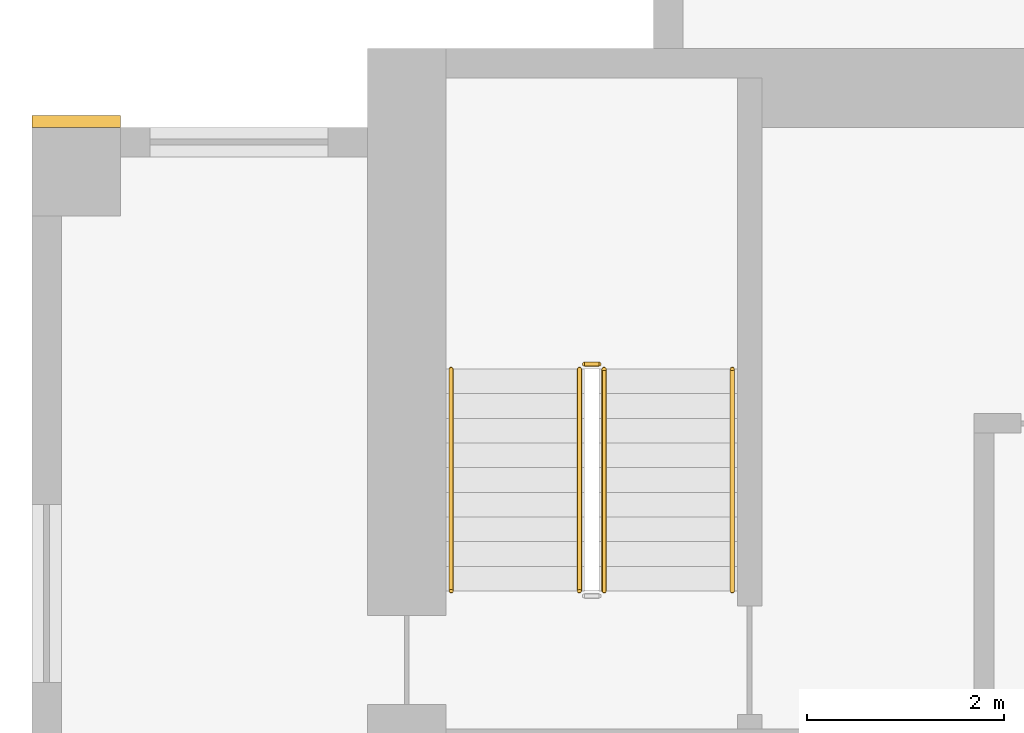
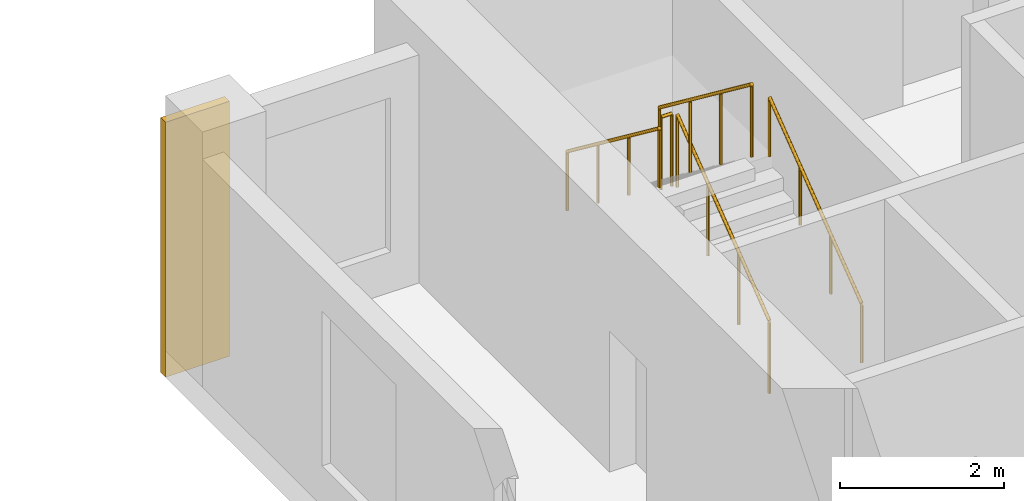
# One storey, part 10 of 12: 5 railings, 1 covering.
"""IFC4 building model written with IfcOpenShell, lengths in metres."""

from ifc_helpers import new_model, si_unit, direction, frame, origin, origin_2d, place, context, subcontext, project, spatial, rectangle, circle, extrude, source, transform, mapped, material, type_object, element, save


model = new_model("IFC4")

# Units and contexts
model_context = context("Model", 3, precision=1e-05, world=origin(), true_north=direction((0.0, 1.0)))
body_context = subcontext(model_context, "Body", "Model", "MODEL_VIEW")
ifc_project = project(units=[si_unit("LENGTHUNIT", "METRE"), si_unit("AREAUNIT", "SQUARE_METRE"), si_unit("VOLUMEUNIT", "CUBIC_METRE"), si_unit("PLANEANGLEUNIT", "RADIAN"), si_unit("MASSUNIT", "GRAM", prefix="KILO")], contexts=[model_context])

# Site, building, storey
site_placement = place(None, origin())
site = spatial("IfcSite", under=ifc_project, at=site_placement, CompositionType="ELEMENT")
building_placement = place(site_placement, origin())
building = spatial("IfcBuilding", under=site, at=building_placement, Name="Aurelian Terraces", CompositionType="ELEMENT")
storey_placement = place(building_placement, frame((0.0, 0.0, 196.8)))
storey = spatial("IfcBuildingStorey", under=building, at=storey_placement, Name="L43", CompositionType="ELEMENT", Elevation=196.8)

# Covering
ifc_material_1 = material(Name="Terracotta rainscreen cladding relief", Category="masonry")
covering_type = type_object("IfcCoveringType", Name="BAGUETTE-TC", PredefinedType="CLADDING", material=ifc_material_1)
shared_shape_1 = source(origin(), body_context, "Body", "SweptSolid", [
    extrude(rectangle(XDim=0.9, YDim=0.12, at=origin_2d()), origin(), (0.0, 0.0, 1.0), 3.8),
])
covering_placement = place(storey_placement, frame((0.45, 21.06, -0.4), z_axis=(0.0, 0.0, 1.0), x_axis=(1.0, 0.0, 0.0)))
element("IfcCovering", 1, at=covering_placement, inside=storey, type_object=covering_type, Name="BAGUETTE pier L43 5", PredefinedType="CLADDING", context=body_context, shape_type="MappedRepresentation", body=[
    mapped(shared_shape_1, transform((0.0, 0.0, 0.0), scale=1.0)),
])

# Railings
ifc_material_2 = material(Name="Stainless steel", Category="steel")
railing_type_1 = type_object("IfcRailingType", Name="Stair guard 1100", PredefinedType="GUARDRAIL", material=ifc_material_2)
shared_shape_2 = source(origin(), body_context, "Body", "SweptSolid", [
    extrude(circle(Radius=0.024, at=origin_2d()), frame((0.0, 0.0, 1.076), z_axis=(-1.0, 0.0, 0.0), x_axis=(0.0, -1.0, 0.0)), (0.0, 0.0, 1.0), 0.15),
    extrude(circle(Radius=0.021, at=origin_2d()), origin(), (0.0, 0.0, 1.0), 1.052),
    extrude(circle(Radius=0.021, at=origin_2d()), frame((-0.15, 0.0, 0.0)), (0.0, 0.0, 1.0), 1.052),
])
railing_1_placement = place(storey_placement, frame((5.75, 18.6, 1.9)))
element("IfcRailing", 2, at=railing_1_placement, inside=storey, type_object=railing_type_1, Name="L43 S1 stair guard 2", PredefinedType="GUARDRAIL", context=body_context, shape_type="MappedRepresentation", body=[
    mapped(shared_shape_2, transform((0.0, 0.0, 0.0), scale=1.0)),
])
shared_shape_3 = source(origin(), body_context, "Body", "SweptSolid", [
    extrude(circle(Radius=0.024, at=origin_2d()), frame((0.0, 0.0, 1.076), z_axis=(0.0, 0.796162194123, 0.605083267534), x_axis=(-1.0, 0.0, 0.0)), (0.0, 0.0, 1.0), 2.8261),
    extrude(circle(Radius=0.021, at=origin_2d()), origin(), (0.0, 0.0, 1.0), 1.052),
    extrude(circle(Radius=0.021, at=origin_2d()), frame((0.0, 0.75, 0.57)), (0.0, 0.0, 1.0), 1.052),
    extrude(circle(Radius=0.021, at=origin_2d()), frame((0.0, 1.5, 1.14)), (0.0, 0.0, 1.0), 1.052),
    extrude(circle(Radius=0.021, at=origin_2d()), frame((0.0, 2.25, 1.71)), (0.0, 0.0, 1.0), 1.052),
])
railing_2_placement = place(storey_placement, frame((5.8, 16.3, 0.19)))
element("IfcRailing", 3, at=railing_2_placement, inside=storey, type_object=railing_type_1, Name="L43 S1 stair guard 1", PredefinedType="GUARDRAIL", context=body_context, shape_type="MappedRepresentation", body=[
    mapped(shared_shape_3, transform((0.0, 0.0, 0.0), scale=1.0)),
])
shared_shape_4 = source(origin(), body_context, "Body", "SweptSolid", [
    extrude(circle(Radius=0.024, at=origin_2d()), frame((0.0, 0.0, 1.076), z_axis=(0.0, -0.796162194123, 0.605083267534), x_axis=(1.0, 0.0, 0.0)), (0.0, 0.0, 1.0), 2.8261),
    extrude(circle(Radius=0.021, at=origin_2d()), origin(), (0.0, 0.0, 1.0), 1.052),
    extrude(circle(Radius=0.021, at=origin_2d()), frame((0.0, -0.75, 0.57)), (0.0, 0.0, 1.0), 1.052),
    extrude(circle(Radius=0.021, at=origin_2d()), frame((0.0, -1.5, 1.14)), (0.0, 0.0, 1.0), 1.052),
    extrude(circle(Radius=0.021, at=origin_2d()), frame((0.0, -2.25, 1.71)), (0.0, 0.0, 1.0), 1.052),
])
railing_3_placement = place(storey_placement, frame((5.55, 18.55, 2.09)))
element("IfcRailing", 4, at=railing_3_placement, inside=storey, type_object=railing_type_1, Name="L43 S1 stair guard 3", PredefinedType="GUARDRAIL", context=body_context, shape_type="MappedRepresentation", body=[
    mapped(shared_shape_4, transform((0.0, 0.0, 0.0), scale=1.0)),
])
railing_type_2 = type_object("IfcRailingType", Name="Stair handrail", PredefinedType="HANDRAIL", material=ifc_material_2)
shared_shape_5 = source(origin(), body_context, "Body", "SweptSolid", [
    extrude(circle(Radius=0.024, at=origin_2d()), frame((0.0, 0.0, 0.876), z_axis=(0.0, 0.796162194123, 0.605083267534), x_axis=(-1.0, 0.0, 0.0)), (0.0, 0.0, 1.0), 2.8261),
    extrude(circle(Radius=0.021, at=origin_2d()), origin(), (0.0, 0.0, 1.0), 0.852),
    extrude(circle(Radius=0.021, at=origin_2d()), frame((0.0, 0.75, 0.57)), (0.0, 0.0, 1.0), 0.852),
    extrude(circle(Radius=0.021, at=origin_2d()), frame((0.0, 1.5, 1.14)), (0.0, 0.0, 1.0), 0.852),
    extrude(circle(Radius=0.021, at=origin_2d()), frame((0.0, 2.25, 1.71)), (0.0, 0.0, 1.0), 0.852),
])
railing_4_placement = place(storey_placement, frame((7.1, 16.3, 0.19)))
element("IfcRailing", 5, at=railing_4_placement, inside=storey, type_object=railing_type_2, Name="L43 S1 stair handrail 1", PredefinedType="HANDRAIL", context=body_context, shape_type="MappedRepresentation", body=[
    mapped(shared_shape_5, transform((0.0, 0.0, 0.0), scale=1.0)),
])
shared_shape_6 = source(origin(), body_context, "Body", "SweptSolid", [
    extrude(circle(Radius=0.024, at=origin_2d()), frame((0.0, 0.0, 0.876), z_axis=(0.0, -0.796162194123, 0.605083267534), x_axis=(1.0, 0.0, 0.0)), (0.0, 0.0, 1.0), 2.8261),
    extrude(circle(Radius=0.021, at=origin_2d()), origin(), (0.0, 0.0, 1.0), 0.852),
    extrude(circle(Radius=0.021, at=origin_2d()), frame((0.0, -0.75, 0.57)), (0.0, 0.0, 1.0), 0.852),
    extrude(circle(Radius=0.021, at=origin_2d()), frame((0.0, -1.5, 1.14)), (0.0, 0.0, 1.0), 0.852),
    extrude(circle(Radius=0.021, at=origin_2d()), frame((0.0, -2.25, 1.71)), (0.0, 0.0, 1.0), 0.852),
])
railing_5_placement = place(storey_placement, frame((4.25, 18.55, 2.09)))
element("IfcRailing", 6, at=railing_5_placement, inside=storey, type_object=railing_type_2, Name="L43 S1 stair handrail 2", PredefinedType="HANDRAIL", context=body_context, shape_type="MappedRepresentation", body=[
    mapped(shared_shape_6, transform((0.0, 0.0, 0.0), scale=1.0)),
])

save(model, "model.ifc")
